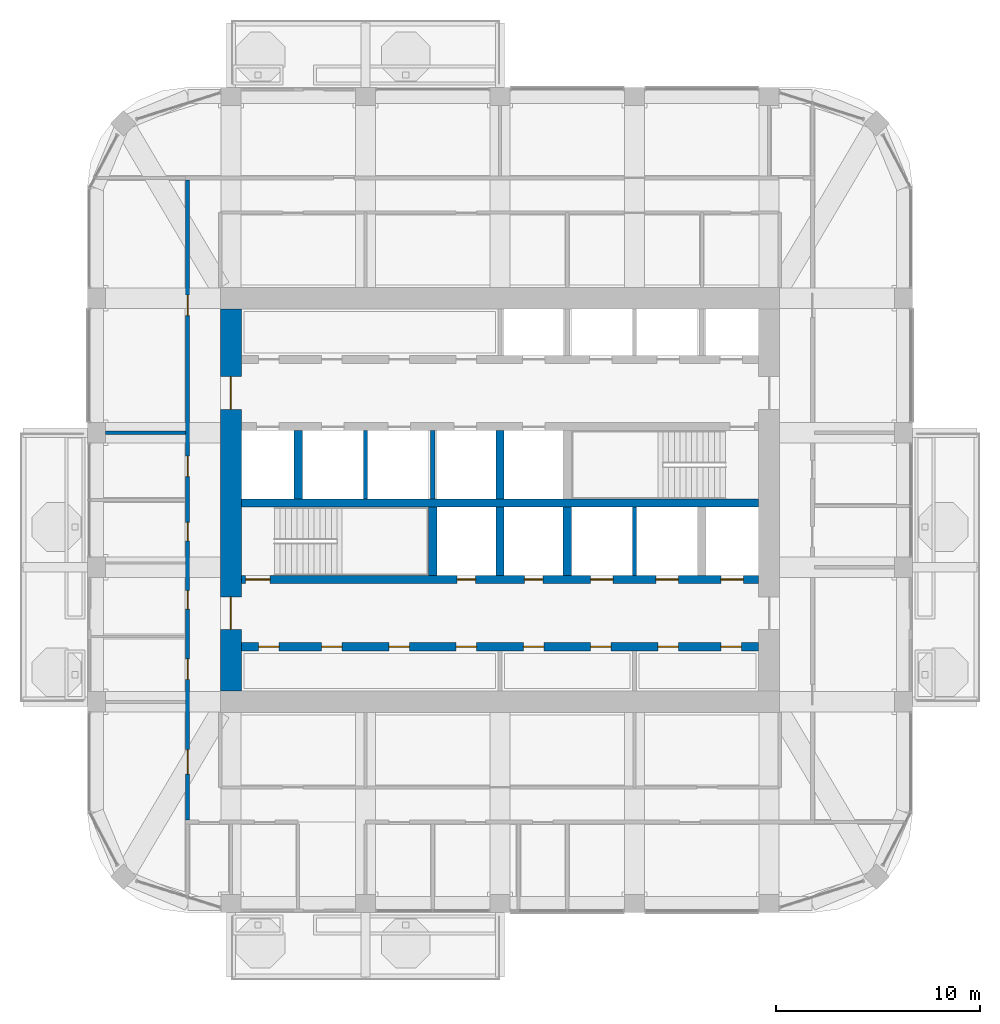
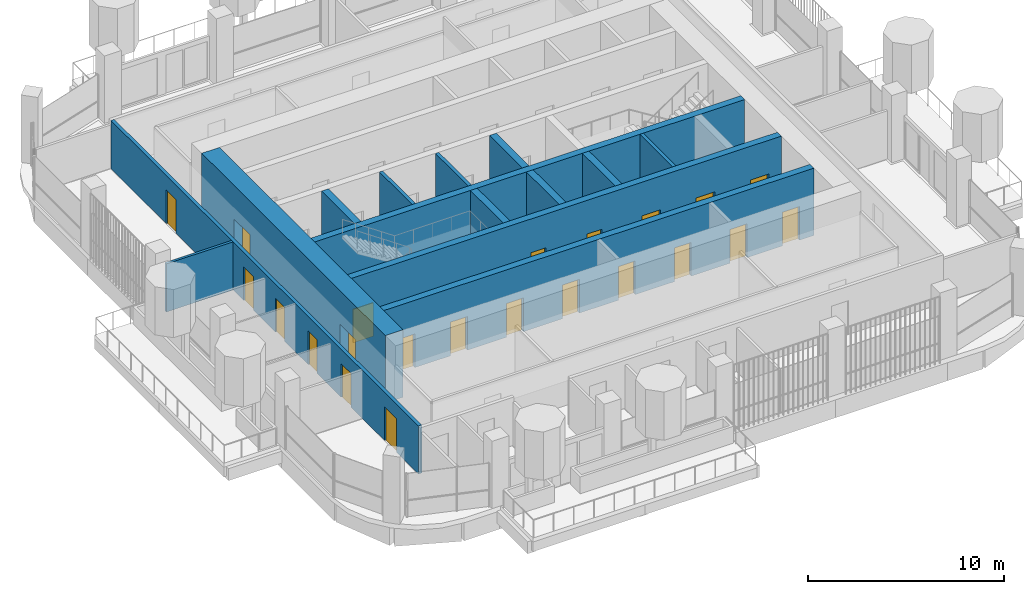
# One storey, part 13 of 19: 22 doors, 14 walls, 22 openings.
"""IFC4 building model written with IfcOpenShell, lengths in metres."""

from ifc_helpers import new_model, si_unit, direction, frame, frame_2d, origin, place, context, subcontext, project, spatial, rectangle, extrude, material, layer, layer_set, type_object, element, fill, save


model = new_model("IFC4")

# Units and contexts
model_context = context("Model", 3, precision=1e-05, world=origin(), true_north=direction((0.0, 1.0)))
body_context = subcontext(model_context, "Body", "Model", "MODEL_VIEW")
ifc_project = project(units=[si_unit("LENGTHUNIT", "METRE"), si_unit("AREAUNIT", "SQUARE_METRE"), si_unit("VOLUMEUNIT", "CUBIC_METRE"), si_unit("PLANEANGLEUNIT", "RADIAN"), si_unit("MASSUNIT", "GRAM", prefix="KILO")], contexts=[model_context])

# Site, building, storey
site_placement = place(None, origin())
site = spatial("IfcSite", under=ifc_project, at=site_placement, CompositionType="ELEMENT")
building_placement = place(site_placement, origin())
building = spatial("IfcBuilding", under=site, at=building_placement, Name="Cobogo Forest Laboratory Tower", CompositionType="ELEMENT")
storey_placement = place(building_placement, frame((0.0, 0.0, 262.800048828125)))
storey = spatial("IfcBuildingStorey", under=building, at=storey_placement, Name="L60", CompositionType="ELEMENT", Elevation=262.800048828125)

# Wall, openings, doors
ifc_material_1 = material(Name="Concrete HA-50 (C50/60)", Category="concrete")
ifc_layer_1 = layer(ifc_material_1, 0.39990234375)
ifc_layer_set_1 = layer_set([ifc_layer_1], Name="CI400 core inner wall 400")
wall_type_1 = type_object("IfcWallType", Name="CI400 core inner wall 400", PredefinedType="SHEAR", material=ifc_layer_set_1)
wall_1_placement = place(storey_placement, frame((13.72509765625, 15.89990234375, 0.0), z_axis=(0.0, 0.0, 1.0), x_axis=(1.0, 0.0, 0.0)))
wall_1 = element("IfcWall", 1, at=wall_1_placement, inside=storey, type_object=wall_type_1, Name="Core wall CI-15.9 L60", PredefinedType="SHEAR", context=body_context, shape_type="SweptSolid", body=[
    extrude(rectangle(XDim=25.349853515625, YDim=0.39990234375, at=frame_2d((12.6748046875, 0.0))), origin(), (0.0, 0.0, 1.0), 4.199951171875),
])
opening_1_placement = place(wall_1_placement, frame((0.83740234375, 0.0, 0.0)))
opening_1 = element("IfcOpeningElement", 2, at=opening_1_placement, cuts=wall_1, Name="Opening L60-D14", PredefinedType="OPENING", context=body_context, shape_type="SweptSolid", body=[
    extrude(rectangle(XDim=1.0, YDim=2.10009765625, at=frame_2d((0.5, 1.050048828125))), frame((0.0, 0.2099609375, 0.0), z_axis=(0.0, -1.0, 0.0), x_axis=(1.0, 0.0, 0.0)), (0.0, 0.0, 1.0), 0.419921875),
])
opening_2_placement = place(wall_1_placement, frame((3.925048828125, 0.0, 0.0)))
opening_2 = element("IfcOpeningElement", 3, at=opening_2_placement, cuts=wall_1, Name="Opening L60-D15", PredefinedType="OPENING", context=body_context, shape_type="SweptSolid", body=[
    extrude(rectangle(XDim=1.0, YDim=2.10009765625, at=frame_2d((0.5, 1.050048828125))), frame((0.0, 0.2099609375, 0.0), z_axis=(0.0, -1.0, 0.0), x_axis=(1.0, 0.0, 0.0)), (0.0, 0.0, 1.0), 0.419921875),
])
opening_3_placement = place(wall_1_placement, frame((7.22509765625, 0.0, 0.0)))
opening_3 = element("IfcOpeningElement", 4, at=opening_3_placement, cuts=wall_1, Name="Opening L60-D16", PredefinedType="OPENING", context=body_context, shape_type="SweptSolid", body=[
    extrude(rectangle(XDim=1.0, YDim=2.10009765625, at=frame_2d((0.5, 1.050048828125))), frame((0.0, 0.2099609375, 0.0), z_axis=(0.0, -1.0, 0.0), x_axis=(1.0, 0.0, 0.0)), (0.0, 0.0, 1.0), 0.419921875),
])
opening_4_placement = place(wall_1_placement, frame((10.52490234375, 0.0, 0.0)))
opening_4 = element("IfcOpeningElement", 5, at=opening_4_placement, cuts=wall_1, Name="Opening L60-D17", PredefinedType="OPENING", context=body_context, shape_type="SweptSolid", body=[
    extrude(rectangle(XDim=1.0, YDim=2.10009765625, at=frame_2d((0.5, 1.050048828125))), frame((0.0, 0.2099609375, 0.0), z_axis=(0.0, -1.0, 0.0), x_axis=(1.0, 0.0, 0.0)), (0.0, 0.0, 1.0), 0.419921875),
])
opening_5_placement = place(wall_1_placement, frame((13.824951171875, 0.0, 0.0)))
opening_5 = element("IfcOpeningElement", 6, at=opening_5_placement, cuts=wall_1, Name="Opening L60-D18", PredefinedType="OPENING", context=body_context, shape_type="SweptSolid", body=[
    extrude(rectangle(XDim=1.0, YDim=2.10009765625, at=frame_2d((0.5, 1.050048828125))), frame((0.0, 0.2099609375, 0.0), z_axis=(0.0, -1.0, 0.0), x_axis=(1.0, 0.0, 0.0)), (0.0, 0.0, 1.0), 0.419921875),
])
opening_6_placement = place(wall_1_placement, frame((17.125, 0.0, 0.0)))
opening_6 = element("IfcOpeningElement", 7, at=opening_6_placement, cuts=wall_1, Name="Opening L60-D19", PredefinedType="OPENING", context=body_context, shape_type="SweptSolid", body=[
    extrude(rectangle(XDim=1.0, YDim=2.10009765625, at=frame_2d((0.5, 1.050048828125))), frame((0.0, 0.2099609375, 0.0), z_axis=(0.0, -1.0, 0.0), x_axis=(1.0, 0.0, 0.0)), (0.0, 0.0, 1.0), 0.419921875),
])
opening_7_placement = place(wall_1_placement, frame((20.425048828125, 0.0, 0.0)))
opening_7 = element("IfcOpeningElement", 8, at=opening_7_placement, cuts=wall_1, Name="Opening L60-D20", PredefinedType="OPENING", context=body_context, shape_type="SweptSolid", body=[
    extrude(rectangle(XDim=1.0, YDim=2.10009765625, at=frame_2d((0.5, 1.050048828125))), frame((0.0, 0.2099609375, 0.0), z_axis=(0.0, -1.0, 0.0), x_axis=(1.0, 0.0, 0.0)), (0.0, 0.0, 1.0), 0.419921875),
])
opening_8_placement = place(wall_1_placement, frame((23.512451171875, 0.0, 0.0)))
opening_8 = element("IfcOpeningElement", 9, at=opening_8_placement, cuts=wall_1, Name="Opening L60-D21", PredefinedType="OPENING", context=body_context, shape_type="SweptSolid", body=[
    extrude(rectangle(XDim=1.0, YDim=2.10009765625, at=frame_2d((0.5, 1.050048828125))), frame((0.0, 0.2099609375, 0.0), z_axis=(0.0, -1.0, 0.0), x_axis=(1.0, 0.0, 0.0)), (0.0, 0.0, 1.0), 0.419921875),
])
ifc_material_2 = material(Name="Steel fire door", Category="steel")
door_type_1 = type_object("IfcDoorType", Name="FD1 fire door 1000 EI2 60", OperationType="SINGLE_SWING_LEFT", PredefinedType="DOOR", material=ifc_material_2)
door_1_placement = place(opening_1_placement, origin())
door_1 = element("IfcDoor", 10, at=door_1_placement, inside=storey, type_object=door_type_1, Name="Door L60-SH-LA1", OperationType="SINGLE_SWING_LEFT", OverallHeight=2.10009765625, OverallWidth=1.0, PredefinedType="DOOR", context=body_context, shape_type="SweptSolid", body=[
    extrude(rectangle(XDim=1.0, YDim=2.10009765625, at=frame_2d((0.5, 1.050048828125))), frame((0.0, 0.02490234375, 0.0), z_axis=(0.0, -1.0, 0.0), x_axis=(1.0, 0.0, 0.0)), (0.0, 0.0, 1.0), 0.050048828125),
])
fill(opening_1, door_1)
door_2_placement = place(opening_2_placement, origin())
door_2 = element("IfcDoor", 11, at=door_2_placement, inside=storey, type_object=door_type_1, Name="Door L60-SH-LA2", OperationType="SINGLE_SWING_LEFT", OverallHeight=2.10009765625, OverallWidth=1.0, PredefinedType="DOOR", context=body_context, shape_type="SweptSolid", body=[
    extrude(rectangle(XDim=1.0, YDim=2.10009765625, at=frame_2d((0.5, 1.050048828125))), frame((0.0, 0.02490234375, 0.0), z_axis=(0.0, -1.0, 0.0), x_axis=(1.0, 0.0, 0.0)), (0.0, 0.0, 1.0), 0.050048828125),
])
fill(opening_2, door_2)
door_3_placement = place(opening_3_placement, origin())
door_3 = element("IfcDoor", 12, at=door_3_placement, inside=storey, type_object=door_type_1, Name="Door L60-SH-LA3", OperationType="SINGLE_SWING_LEFT", OverallHeight=2.10009765625, OverallWidth=1.0, PredefinedType="DOOR", context=body_context, shape_type="SweptSolid", body=[
    extrude(rectangle(XDim=1.0, YDim=2.10009765625, at=frame_2d((0.5, 1.050048828125))), frame((0.0, 0.02490234375, 0.0), z_axis=(0.0, -1.0, 0.0), x_axis=(1.0, 0.0, 0.0)), (0.0, 0.0, 1.0), 0.050048828125),
])
fill(opening_3, door_3)
door_4_placement = place(opening_4_placement, origin())
door_4 = element("IfcDoor", 13, at=door_4_placement, inside=storey, type_object=door_type_1, Name="Door L60-SH-LA4", OperationType="SINGLE_SWING_LEFT", OverallHeight=2.10009765625, OverallWidth=1.0, PredefinedType="DOOR", context=body_context, shape_type="SweptSolid", body=[
    extrude(rectangle(XDim=1.0, YDim=2.10009765625, at=frame_2d((0.5, 1.050048828125))), frame((0.0, 0.02490234375, 0.0), z_axis=(0.0, -1.0, 0.0), x_axis=(1.0, 0.0, 0.0)), (0.0, 0.0, 1.0), 0.050048828125),
])
fill(opening_4, door_4)
door_5_placement = place(opening_5_placement, origin())
door_5 = element("IfcDoor", 14, at=door_5_placement, inside=storey, type_object=door_type_1, Name="Door L60-SH-LB1", OperationType="SINGLE_SWING_RIGHT", OverallHeight=2.10009765625, OverallWidth=1.0, PredefinedType="DOOR", context=body_context, shape_type="SweptSolid", body=[
    extrude(rectangle(XDim=1.0, YDim=2.10009765625, at=frame_2d((0.5, 1.050048828125))), frame((0.0, 0.02490234375, 0.0), z_axis=(0.0, -1.0, 0.0), x_axis=(1.0, 0.0, 0.0)), (0.0, 0.0, 1.0), 0.050048828125),
])
fill(opening_5, door_5)
door_6_placement = place(opening_6_placement, origin())
door_6 = element("IfcDoor", 15, at=door_6_placement, inside=storey, type_object=door_type_1, Name="Door L60-SH-LB2", OperationType="SINGLE_SWING_RIGHT", OverallHeight=2.10009765625, OverallWidth=1.0, PredefinedType="DOOR", context=body_context, shape_type="SweptSolid", body=[
    extrude(rectangle(XDim=1.0, YDim=2.10009765625, at=frame_2d((0.5, 1.050048828125))), frame((0.0, 0.02490234375, 0.0), z_axis=(0.0, -1.0, 0.0), x_axis=(1.0, 0.0, 0.0)), (0.0, 0.0, 1.0), 0.050048828125),
])
fill(opening_6, door_6)
door_7_placement = place(opening_7_placement, origin())
door_7 = element("IfcDoor", 16, at=door_7_placement, inside=storey, type_object=door_type_1, Name="Door L60-SH-LB3", OperationType="SINGLE_SWING_RIGHT", OverallHeight=2.10009765625, OverallWidth=1.0, PredefinedType="DOOR", context=body_context, shape_type="SweptSolid", body=[
    extrude(rectangle(XDim=1.0, YDim=2.10009765625, at=frame_2d((0.5, 1.050048828125))), frame((0.0, 0.02490234375, 0.0), z_axis=(0.0, -1.0, 0.0), x_axis=(1.0, 0.0, 0.0)), (0.0, 0.0, 1.0), 0.050048828125),
])
fill(opening_7, door_7)
door_8_placement = place(opening_8_placement, origin())
door_8 = element("IfcDoor", 17, at=door_8_placement, inside=storey, type_object=door_type_1, Name="Door L60-SH-LB4", OperationType="SINGLE_SWING_RIGHT", OverallHeight=2.10009765625, OverallWidth=1.0, PredefinedType="DOOR", context=body_context, shape_type="SweptSolid", body=[
    extrude(rectangle(XDim=1.0, YDim=2.10009765625, at=frame_2d((0.5, 1.050048828125))), frame((0.0, 0.02490234375, 0.0), z_axis=(0.0, -1.0, 0.0), x_axis=(1.0, 0.0, 0.0)), (0.0, 0.0, 1.0), 0.050048828125),
])
fill(opening_8, door_8)

wall_2_placement = place(storey_placement, frame((13.72509765625, 19.199951171875, 0.0), z_axis=(0.0, 0.0, 1.0), x_axis=(1.0, 0.0, 0.0)))
wall_2 = element("IfcWall", 18, at=wall_2_placement, inside=storey, type_object=wall_type_1, Name="Core wall CI-19.2 L60", PredefinedType="SHEAR", context=body_context, shape_type="SweptSolid", body=[
    extrude(rectangle(XDim=25.349853515625, YDim=0.39990234375, at=frame_2d((12.6748046875, 0.0))), origin(), (0.0, 0.0, 1.0), 4.199951171875),
])
opening_9_placement = place(wall_2_placement, frame((10.574951171875, 0.0, 0.0)))
opening_9 = element("IfcOpeningElement", 19, at=opening_9_placement, cuts=wall_2, Name="Opening L60-D28", PredefinedType="OPENING", context=body_context, shape_type="SweptSolid", body=[
    extrude(rectangle(XDim=0.89990234375, YDim=2.10009765625, at=frame_2d((0.449951171875, 1.050048828125))), frame((0.0, 0.2099609375, 0.0), z_axis=(0.0, -1.0, 0.0), x_axis=(1.0, 0.0, 0.0)), (0.0, 0.0, 1.0), 0.419921875),
])
opening_10_placement = place(wall_2_placement, frame((13.875, 0.0, 0.0)))
opening_10 = element("IfcOpeningElement", 20, at=opening_10_placement, cuts=wall_2, Name="Opening L60-D29", PredefinedType="OPENING", context=body_context, shape_type="SweptSolid", body=[
    extrude(rectangle(XDim=0.89990234375, YDim=2.10009765625, at=frame_2d((0.449951171875, 1.050048828125))), frame((0.0, 0.2099609375, 0.0), z_axis=(0.0, -1.0, 0.0), x_axis=(1.0, 0.0, 0.0)), (0.0, 0.0, 1.0), 0.419921875),
])
opening_11_placement = place(wall_2_placement, frame((0.199951171875, 0.0, 0.0)))
opening_11 = element("IfcOpeningElement", 21, at=opening_11_placement, cuts=wall_2, Name="Opening L60-D27", PredefinedType="OPENING", context=body_context, shape_type="SweptSolid", body=[
    extrude(rectangle(XDim=1.199951171875, YDim=2.10009765625, at=frame_2d((0.60009765625, 1.050048828125))), frame((0.0, 0.2099609375, 0.0), z_axis=(0.0, -1.0, 0.0), x_axis=(1.0, 0.0, 0.0)), (0.0, 0.0, 1.0), 0.419921875),
])
opening_12_placement = place(wall_2_placement, frame((23.512451171875, 0.0, 0.0)))
opening_12 = element("IfcOpeningElement", 22, at=opening_12_placement, cuts=wall_2, Name="Opening L60-LD-FL2", PredefinedType="OPENING", context=body_context, shape_type="SweptSolid", body=[
    extrude(rectangle(XDim=1.10009765625, YDim=2.10009765625, at=frame_2d((0.550048828125, 1.050048828125))), frame((0.0, 0.2099609375, 0.0), z_axis=(0.0, -1.0, 0.0), x_axis=(1.0, 0.0, 0.0)), (0.0, 0.0, 1.0), 0.419921875),
])
opening_13_placement = place(wall_2_placement, frame((17.125, 0.0, 0.0)))
opening_13 = element("IfcOpeningElement", 23, at=opening_13_placement, cuts=wall_2, Name="Opening L60-LD-LS1", PredefinedType="OPENING", context=body_context, shape_type="SweptSolid", body=[
    extrude(rectangle(XDim=1.10009765625, YDim=2.10009765625, at=frame_2d((0.550048828125, 1.050048828125))), frame((0.0, 0.2099609375, 0.0), z_axis=(0.0, -1.0, 0.0), x_axis=(1.0, 0.0, 0.0)), (0.0, 0.0, 1.0), 0.419921875),
])
opening_14_placement = place(wall_2_placement, frame((20.324951171875, 0.0, 0.0)))
opening_14 = element("IfcOpeningElement", 24, at=opening_14_placement, cuts=wall_2, Name="Opening L60-LD-LS2", PredefinedType="OPENING", context=body_context, shape_type="SweptSolid", body=[
    extrude(rectangle(XDim=1.10009765625, YDim=2.10009765625, at=frame_2d((0.550048828125, 1.050048828125))), frame((0.0, 0.2099609375, 0.0), z_axis=(0.0, -1.0, 0.0), x_axis=(1.0, 0.0, 0.0)), (0.0, 0.0, 1.0), 0.419921875),
])
door_type_2 = type_object("IfcDoorType", Name="DS1 protected stair door 1200 EI2 60", OperationType="SINGLE_SWING_LEFT", PredefinedType="DOOR", material=ifc_material_2)
door_9_placement = place(opening_11_placement, origin())
door_9 = element("IfcDoor", 25, at=door_9_placement, inside=storey, type_object=door_type_2, Name="Door L60-ST1", OperationType="SINGLE_SWING_LEFT", OverallHeight=2.10009765625, OverallWidth=1.199951171875, PredefinedType="DOOR", context=body_context, shape_type="SweptSolid", body=[
    extrude(rectangle(XDim=1.199951171875, YDim=2.10009765625, at=frame_2d((0.60009765625, 1.050048828125))), frame((0.0, 0.02490234375, 0.0), z_axis=(0.0, -1.0, 0.0), x_axis=(1.0, 0.0, 0.0)), (0.0, 0.0, 1.0), 0.050048828125),
])
fill(opening_11, door_9)
door_type_3 = type_object("IfcDoorType", Name="FD4 riser access door 900 EI2 60", OperationType="SINGLE_SWING_LEFT", PredefinedType="DOOR", material=ifc_material_2)
door_10_placement = place(opening_9_placement, origin())
door_10 = element("IfcDoor", 26, at=door_10_placement, inside=storey, type_object=door_type_3, Name="Door L60-R1", OperationType="SINGLE_SWING_LEFT", OverallHeight=2.10009765625, OverallWidth=0.89990234375, PredefinedType="DOOR", context=body_context, shape_type="SweptSolid", body=[
    extrude(rectangle(XDim=0.89990234375, YDim=2.10009765625, at=frame_2d((0.449951171875, 1.050048828125))), frame((0.0, 0.02490234375, 0.0), z_axis=(0.0, -1.0, 0.0), x_axis=(1.0, 0.0, 0.0)), (0.0, 0.0, 1.0), 0.050048828125),
])
fill(opening_9, door_10)
door_11_placement = place(opening_10_placement, origin())
door_11 = element("IfcDoor", 27, at=door_11_placement, inside=storey, type_object=door_type_3, Name="Door L60-R2", OperationType="SINGLE_SWING_RIGHT", OverallHeight=2.10009765625, OverallWidth=0.89990234375, PredefinedType="DOOR", context=body_context, shape_type="SweptSolid", body=[
    extrude(rectangle(XDim=0.89990234375, YDim=2.10009765625, at=frame_2d((0.449951171875, 1.050048828125))), frame((0.0, 0.02490234375, 0.0), z_axis=(0.0, -1.0, 0.0), x_axis=(1.0, 0.0, 0.0)), (0.0, 0.0, 1.0), 0.050048828125),
])
fill(opening_10, door_11)
ifc_material_3 = material(Name="Stainless steel lift door", Category="steel")
door_type_4 = type_object("IfcDoorType", Name="LD lift landing door 1100", OperationType="DOUBLE_DOOR_SLIDING", PredefinedType="DOOR", material=ifc_material_3)
door_12_placement = place(opening_12_placement, origin())
door_12 = element("IfcDoor", 28, at=door_12_placement, inside=storey, type_object=door_type_4, Name="Lift landing door FL2 L60", OperationType="DOUBLE_DOOR_SLIDING", OverallHeight=2.10009765625, OverallWidth=1.10009765625, PredefinedType="DOOR", context=body_context, shape_type="SweptSolid", body=[
    extrude(rectangle(XDim=1.10009765625, YDim=2.10009765625, at=frame_2d((0.550048828125, 1.050048828125))), frame((0.0, 0.02490234375, 0.0), z_axis=(0.0, -1.0, 0.0), x_axis=(1.0, 0.0, 0.0)), (0.0, 0.0, 1.0), 0.050048828125),
])
fill(opening_12, door_12)
door_13_placement = place(opening_13_placement, origin())
door_13 = element("IfcDoor", 29, at=door_13_placement, inside=storey, type_object=door_type_4, Name="Lift landing door LS1 L60", OperationType="DOUBLE_DOOR_SLIDING", OverallHeight=2.10009765625, OverallWidth=1.10009765625, PredefinedType="DOOR", context=body_context, shape_type="SweptSolid", body=[
    extrude(rectangle(XDim=1.10009765625, YDim=2.10009765625, at=frame_2d((0.550048828125, 1.050048828125))), frame((0.0, 0.02490234375, 0.0), z_axis=(0.0, -1.0, 0.0), x_axis=(1.0, 0.0, 0.0)), (0.0, 0.0, 1.0), 0.050048828125),
])
fill(opening_13, door_13)
door_14_placement = place(opening_14_placement, origin())
door_14 = element("IfcDoor", 30, at=door_14_placement, inside=storey, type_object=door_type_4, Name="Lift landing door LS2 L60", OperationType="DOUBLE_DOOR_SLIDING", OverallHeight=2.10009765625, OverallWidth=1.10009765625, PredefinedType="DOOR", context=body_context, shape_type="SweptSolid", body=[
    extrude(rectangle(XDim=1.10009765625, YDim=2.10009765625, at=frame_2d((0.550048828125, 1.050048828125))), frame((0.0, 0.02490234375, 0.0), z_axis=(0.0, -1.0, 0.0), x_axis=(1.0, 0.0, 0.0)), (0.0, 0.0, 1.0), 0.050048828125),
])
fill(opening_14, door_14)

# Walls
wall_3_placement = place(storey_placement, frame((13.72509765625, 22.949951171875, 0.0), z_axis=(0.0, 0.0, 1.0), x_axis=(1.0, 0.0, 0.0)))
element("IfcWall", 31, at=wall_3_placement, inside=storey, type_object=wall_type_1, Name="Core wall CI-22.95 L60", PredefinedType="SHEAR", context=body_context, shape_type="SweptSolid", body=[
    extrude(rectangle(XDim=25.349853515625, YDim=0.39990234375, at=frame_2d((12.6748046875, 0.0))), origin(), (0.0, 0.0, 1.0), 4.199951171875),
])
for number, where, z_axis, x_axis, name in (
    (32, (23.10009765625, 19.39990234375, 0.0), (0.0, 0.0, 1.0), (0.0, 1.0, 0.0), "Core wall CX-23.1 L60"),
    (33, (26.39990234375, 19.39990234375, 0.0), (0.0, 0.0, 1.0), (0.0, 1.0, 0.0), "Core wall CX-26.4S L60"),
    (34, (29.699951171875, 19.39990234375, 0.0), (0.0, 0.0, 1.0), (0.0, 1.0, 0.0), "Core wall CX-29.7S L60"),
    (35, (16.5, 23.14990234375, 0.0), (0.0, 0.0, 1.0), (0.0, 1.0, 0.0), "Core wall CX-16.5 L60"),
    (36, (26.39990234375, 23.14990234375, 0.0), (0.0, 0.0, 1.0), (0.0, 1.0, 0.0), "Core wall CX-26.4N L60"),
):
    element("IfcWall", number, at=place(storey_placement, frame(where, z_axis=z_axis, x_axis=x_axis)), inside=storey, type_object=wall_type_1, Name=name, PredefinedType="SHEAR", context=body_context, shape_type="SweptSolid", body=[
        extrude(rectangle(XDim=3.35009765625, YDim=0.39990234375, at=frame_2d((1.675048828125, 0.0))), origin(), (0.0, 0.0, 1.0), 4.199951171875),
    ])

# Wall, openings, doors
ifc_layer_2 = layer(ifc_material_1, 1.050048828125)
ifc_layer_set_2 = layer_set([ifc_layer_2], Name="CW1050 core outer wall 1050")
wall_type_2 = type_object("IfcWallType", Name="CW1050 core outer wall 1050", PredefinedType="SHEAR", material=ifc_layer_set_2)
wall_4_placement = place(storey_placement, frame((13.199951171875, 32.47509765625, 0.0), z_axis=(0.0, 0.0, 1.0), x_axis=(0.0, -1.0, 0.0)))
wall_4 = element("IfcWall", 37, at=wall_4_placement, inside=storey, type_object=wall_type_2, Name="Core wall CO-W L60", PredefinedType="SHEAR", context=body_context, shape_type="SweptSolid", body=[
    extrude(rectangle(XDim=18.75, YDim=1.050048828125, at=frame_2d((9.375, 0.0))), origin(), (0.0, 0.0, 1.0), 4.199951171875),
])
opening_15_placement = place(wall_4_placement, frame((14.125, 0.0, 0.0)))
opening_15 = element("IfcOpeningElement", 38, at=opening_15_placement, cuts=wall_4, Name="Opening L60-D24", PredefinedType="OPENING", context=body_context, shape_type="SweptSolid", body=[
    extrude(rectangle(XDim=1.60009765625, YDim=2.10009765625, at=frame_2d((0.800048828125, 1.050048828125))), frame((0.0, 0.534912109375, 0.0), z_axis=(0.0, -1.0, 0.0), x_axis=(1.0, 0.0, 0.0)), (0.0, 0.0, 1.0), 1.070068359375),
])
opening_16_placement = place(wall_4_placement, frame((3.324951171875, 0.0, 0.0)))
opening_16 = element("IfcOpeningElement", 39, at=opening_16_placement, cuts=wall_4, Name="Opening L60-D35", PredefinedType="OPENING", context=body_context, shape_type="SweptSolid", body=[
    extrude(rectangle(XDim=1.60009765625, YDim=2.10009765625, at=frame_2d((0.800048828125, 1.050048828125))), frame((0.0, 0.534912109375, 0.0), z_axis=(0.0, -1.0, 0.0), x_axis=(1.0, 0.0, 0.0)), (0.0, 0.0, 1.0), 1.070068359375),
])
door_type_5 = type_object("IfcDoorType", Name="DS2 protected lobby door pair 1600 EI2 60", OperationType="DOUBLE_DOOR_DOUBLE_SWING", PredefinedType="DOOR", material=ifc_material_2)
door_15_placement = place(opening_15_placement, origin())
door_15 = element("IfcDoor", 40, at=door_15_placement, inside=storey, type_object=door_type_5, Name="Door L60-CO-W-S", OperationType="DOUBLE_DOOR_DOUBLE_SWING", OverallHeight=2.10009765625, OverallWidth=1.60009765625, PredefinedType="DOOR", context=body_context, shape_type="SweptSolid", body=[
    extrude(rectangle(XDim=1.60009765625, YDim=2.10009765625, at=frame_2d((0.800048828125, 1.050048828125))), frame((0.0, 0.02490234375, 0.0), z_axis=(0.0, -1.0, 0.0), x_axis=(1.0, 0.0, 0.0)), (0.0, 0.0, 1.0), 0.050048828125),
])
fill(opening_15, door_15)
door_16_placement = place(opening_16_placement, origin())
door_16 = element("IfcDoor", 41, at=door_16_placement, inside=storey, type_object=door_type_5, Name="Door L60-CO-W-N", OperationType="DOUBLE_DOOR_DOUBLE_SWING", OverallHeight=2.10009765625, OverallWidth=1.60009765625, PredefinedType="DOOR", context=body_context, shape_type="SweptSolid", body=[
    extrude(rectangle(XDim=1.60009765625, YDim=2.10009765625, at=frame_2d((0.800048828125, 1.050048828125))), frame((0.0, 0.02490234375, 0.0), z_axis=(0.0, -1.0, 0.0), x_axis=(1.0, 0.0, 0.0)), (0.0, 0.0, 1.0), 0.050048828125),
])
fill(opening_16, door_16)

# Wall
ifc_material_4 = material(Name="Gypsum board on steel studs", Category="steel")
ifc_layer_3 = layer(ifc_material_4, 0.14990234375)
ifc_layer_set_3 = layer_set([ifc_layer_3], Name="PT1 laboratory partition 150")
wall_type_3 = type_object("IfcWallType", Name="PT1 laboratory partition 150", PredefinedType="PARTITIONING", material=ifc_layer_set_3)
wall_5_placement = place(storey_placement, frame((7.050048828125, 26.39990234375, 0.0), z_axis=(0.0, 0.0, 1.0), x_axis=(1.0, 0.0, 0.0)))
element("IfcWall", 42, at=wall_5_placement, inside=storey, type_object=wall_type_3, Name="Partition CUT-W26.4-1 L60", PredefinedType="PARTITIONING", context=body_context, shape_type="SweptSolid", body=[
    extrude(rectangle(XDim=3.925048828125, YDim=0.14990234375, at=frame_2d((1.96240234375, 0.0))), origin(), (0.0, 0.0, 1.0), 3.0),
])

# Wall, openings, doors
ifc_layer_4 = layer(ifc_material_4, 0.199951171875)
ifc_layer_set_4 = layer_set([ifc_layer_4], Name="PT2 fire-rated corridor partition 200")
wall_type_4 = type_object("IfcWallType", Name="PT2 fire-rated corridor partition 200", PredefinedType="PARTITIONING", material=ifc_layer_set_4)
wall_6_placement = place(storey_placement, frame((11.074951171875, 7.39990234375, 0.0), z_axis=(0.0, 0.0, 1.0), x_axis=(0.0, 1.0, 0.0)))
wall_6 = element("IfcWall", 43, at=wall_6_placement, inside=storey, type_object=wall_type_4, Name="Partition CORR-W L60", PredefinedType="PARTITIONING", context=body_context, shape_type="SweptSolid", body=[
    extrude(rectangle(XDim=31.400146484375, YDim=0.199951171875, at=frame_2d((15.7001953125, 0.0))), origin(), (0.0, 0.0, 1.0), 3.0),
])
opening_17_placement = place(wall_6_placement, frame((2.25, 0.0, 0.0)))
opening_17 = element("IfcOpeningElement", 44, at=opening_17_placement, cuts=wall_6, Name="Opening L60-D11", PredefinedType="OPENING", context=body_context, shape_type="SweptSolid", body=[
    extrude(rectangle(XDim=1.199951171875, YDim=2.10009765625, at=frame_2d((0.60009765625, 1.050048828125))), frame((0.0, 0.10986328125, 0.0), z_axis=(0.0, -1.0, 0.0), x_axis=(1.0, 0.0, 0.0)), (0.0, 0.0, 1.0), 0.219970703125),
])
opening_18_placement = place(wall_6_placement, frame((6.89990234375, 0.0, 0.0)))
opening_18 = element("IfcOpeningElement", 45, at=opening_18_placement, cuts=wall_6, Name="Opening L60-D13", PredefinedType="OPENING", context=body_context, shape_type="SweptSolid", body=[
    extrude(rectangle(XDim=1.0, YDim=2.10009765625, at=frame_2d((0.5, 1.050048828125))), frame((0.0, 0.10986328125, 0.0), z_axis=(0.0, -1.0, 0.0), x_axis=(1.0, 0.0, 0.0)), (0.0, 0.0, 1.0), 0.219970703125),
])
opening_19_placement = place(wall_6_placement, frame((10.35009765625, 0.0, 0.0)))
opening_19 = element("IfcOpeningElement", 46, at=opening_19_placement, cuts=wall_6, Name="Opening L60-D26", PredefinedType="OPENING", context=body_context, shape_type="SweptSolid", body=[
    extrude(rectangle(XDim=0.89990234375, YDim=2.10009765625, at=frame_2d((0.449951171875, 1.050048828125))), frame((0.0, 0.10986328125, 0.0), z_axis=(0.0, -1.0, 0.0), x_axis=(1.0, 0.0, 0.0)), (0.0, 0.0, 1.0), 0.219970703125),
])
opening_20_placement = place(wall_6_placement, frame((13.699951171875, 0.0, 0.0)))
opening_20 = element("IfcOpeningElement", 47, at=opening_20_placement, cuts=wall_6, Name="Opening L60-D31", PredefinedType="OPENING", context=body_context, shape_type="SweptSolid", body=[
    extrude(rectangle(XDim=0.89990234375, YDim=2.10009765625, at=frame_2d((0.449951171875, 1.050048828125))), frame((0.0, 0.10986328125, 0.0), z_axis=(0.0, -1.0, 0.0), x_axis=(1.0, 0.0, 0.0)), (0.0, 0.0, 1.0), 0.219970703125),
])
opening_21_placement = place(wall_6_placement, frame((16.85009765625, 0.0, 0.0)))
opening_21 = element("IfcOpeningElement", 48, at=opening_21_placement, cuts=wall_6, Name="Opening L60-D33", PredefinedType="OPENING", context=body_context, shape_type="SweptSolid", body=[
    extrude(rectangle(XDim=1.0, YDim=2.10009765625, at=frame_2d((0.5, 1.050048828125))), frame((0.0, 0.10986328125, 0.0), z_axis=(0.0, -1.0, 0.0), x_axis=(1.0, 0.0, 0.0)), (0.0, 0.0, 1.0), 0.219970703125),
])
opening_22_placement = place(wall_6_placement, frame((24.75, 0.0, 0.0)))
opening_22 = element("IfcOpeningElement", 49, at=opening_22_placement, cuts=wall_6, Name="Opening L60-D41", PredefinedType="OPENING", context=body_context, shape_type="SweptSolid", body=[
    extrude(rectangle(XDim=1.0, YDim=2.10009765625, at=frame_2d((0.5, 1.050048828125))), frame((0.0, 0.10986328125, 0.0), z_axis=(0.0, -1.0, 0.0), x_axis=(1.0, 0.0, 0.0)), (0.0, 0.0, 1.0), 0.219970703125),
])
ifc_material_5 = material(Name="Timber door", Category="wood")
door_type_6 = type_object("IfcDoorType", Name="D2 laboratory door 1200 unequal pair", OperationType="DOUBLE_DOOR_SINGLE_SWING", PredefinedType="DOOR", material=ifc_material_5)
door_17_placement = place(opening_17_placement, origin())
door_17 = element("IfcDoor", 50, at=door_17_placement, inside=storey, type_object=door_type_6, Name="Door L60-W1", OperationType="DOUBLE_DOOR_SINGLE_SWING", OverallHeight=2.10009765625, OverallWidth=1.199951171875, PredefinedType="DOOR", context=body_context, shape_type="SweptSolid", body=[
    extrude(rectangle(XDim=1.199951171875, YDim=2.10009765625, at=frame_2d((0.60009765625, 1.050048828125))), frame((0.0, 0.02490234375, 0.0), z_axis=(0.0, -1.0, 0.0), x_axis=(1.0, 0.0, 0.0)), (0.0, 0.0, 1.0), 0.050048828125),
])
fill(opening_17, door_17)
ifc_material_6 = material(Name="Timber fire door", Category="wood")
door_type_7 = type_object("IfcDoorType", Name="FD2 fire door 1000 EI2 30", OperationType="SINGLE_SWING_LEFT", PredefinedType="DOOR", material=ifc_material_6)
door_18_placement = place(opening_21_placement, origin())
door_18 = element("IfcDoor", 51, at=door_18_placement, inside=storey, type_object=door_type_7, Name="Door L60-W2", OperationType="SINGLE_SWING_RIGHT", OverallHeight=2.10009765625, OverallWidth=1.0, PredefinedType="DOOR", context=body_context, shape_type="SweptSolid", body=[
    extrude(rectangle(XDim=1.0, YDim=2.10009765625, at=frame_2d((0.5, 1.050048828125))), frame((0.0, 0.02490234375, 0.0), z_axis=(0.0, -1.0, 0.0), x_axis=(1.0, 0.0, 0.0)), (0.0, 0.0, 1.0), 0.050048828125),
])
fill(opening_21, door_18)
door_19_placement = place(opening_22_placement, origin())
door_19 = element("IfcDoor", 52, at=door_19_placement, inside=storey, type_object=door_type_7, Name="Door L60-W3", OperationType="SINGLE_SWING_RIGHT", OverallHeight=2.10009765625, OverallWidth=1.0, PredefinedType="DOOR", context=body_context, shape_type="SweptSolid", body=[
    extrude(rectangle(XDim=1.0, YDim=2.10009765625, at=frame_2d((0.5, 1.050048828125))), frame((0.0, 0.02490234375, 0.0), z_axis=(0.0, -1.0, 0.0), x_axis=(1.0, 0.0, 0.0)), (0.0, 0.0, 1.0), 0.050048828125),
])
fill(opening_22, door_19)
door_type_8 = type_object("IfcDoorType", Name="FD3 toilet fire door 900 EI2 30", OperationType="SINGLE_SWING_LEFT", PredefinedType="DOOR", material=ifc_material_6)
door_20_placement = place(opening_19_placement, origin())
door_20 = element("IfcDoor", 53, at=door_20_placement, inside=storey, type_object=door_type_8, Name="Door L60-WCF", OperationType="SINGLE_SWING_LEFT", OverallHeight=2.10009765625, OverallWidth=0.89990234375, PredefinedType="DOOR", context=body_context, shape_type="SweptSolid", body=[
    extrude(rectangle(XDim=0.89990234375, YDim=2.10009765625, at=frame_2d((0.449951171875, 1.050048828125))), frame((0.0, 0.02490234375, 0.0), z_axis=(0.0, -1.0, 0.0), x_axis=(1.0, 0.0, 0.0)), (0.0, 0.0, 1.0), 0.050048828125),
])
fill(opening_19, door_20)
door_21_placement = place(opening_20_placement, origin())
door_21 = element("IfcDoor", 54, at=door_21_placement, inside=storey, type_object=door_type_8, Name="Door L60-WCM", OperationType="SINGLE_SWING_LEFT", OverallHeight=2.10009765625, OverallWidth=0.89990234375, PredefinedType="DOOR", context=body_context, shape_type="SweptSolid", body=[
    extrude(rectangle(XDim=0.89990234375, YDim=2.10009765625, at=frame_2d((0.449951171875, 1.050048828125))), frame((0.0, 0.02490234375, 0.0), z_axis=(0.0, -1.0, 0.0), x_axis=(1.0, 0.0, 0.0)), (0.0, 0.0, 1.0), 0.050048828125),
])
fill(opening_20, door_21)
door_type_9 = type_object("IfcDoorType", Name="FDA1 accessible toilet fire door 1000 EI2 30", OperationType="SINGLE_SWING_RIGHT", PredefinedType="DOOR", material=ifc_material_6)
door_22_placement = place(opening_18_placement, origin())
door_22 = element("IfcDoor", 55, at=door_22_placement, inside=storey, type_object=door_type_9, Name="Door L60-WCA", OperationType="SINGLE_SWING_LEFT", OverallHeight=2.10009765625, OverallWidth=1.0, PredefinedType="DOOR", context=body_context, shape_type="SweptSolid", body=[
    extrude(rectangle(XDim=1.0, YDim=2.10009765625, at=frame_2d((0.5, 1.050048828125))), frame((0.0, 0.02490234375, 0.0), z_axis=(0.0, -1.0, 0.0), x_axis=(1.0, 0.0, 0.0)), (0.0, 0.0, 1.0), 0.050048828125),
])
fill(opening_18, door_22)

# Walls
ifc_material_7 = material(Name="Concrete block", Category="concrete")
ifc_layer_5 = layer(ifc_material_7, 0.199951171875)
ifc_layer_set_5 = layer_set([ifc_layer_5], Name="SW200 lift shaft separator 200")
wall_type_5 = type_object("IfcWallType", Name="SW200 lift shaft separator 200", PredefinedType="PARTITIONING", material=ifc_layer_set_5)
for number, where, z_axis, x_axis, name in (
    (56, (33.0, 19.39990234375, 0.0), (0.0, 0.0, 1.0), (0.0, 1.0, 0.0), "Core wall SEP-M33.0 L60"),
    (57, (19.800048828125, 23.14990234375, 0.0), (0.0, 0.0, 1.0), (0.0, 1.0, 0.0), "Core wall SEP-M19.8 L60"),
    (58, (23.10009765625, 23.14990234375, 0.0), (0.0, 0.0, 1.0), (0.0, 1.0, 0.0), "Core wall SEP-M23.1 L60"),
):
    element("IfcWall", number, at=place(storey_placement, frame(where, z_axis=z_axis, x_axis=x_axis)), inside=storey, type_object=wall_type_5, Name=name, PredefinedType="PARTITIONING", context=body_context, shape_type="SweptSolid", body=[
        extrude(rectangle(XDim=3.35009765625, YDim=0.199951171875, at=frame_2d((1.675048828125, 0.0))), origin(), (0.0, 0.0, 1.0), 4.199951171875),
    ])

save(model, "model.ifc")
